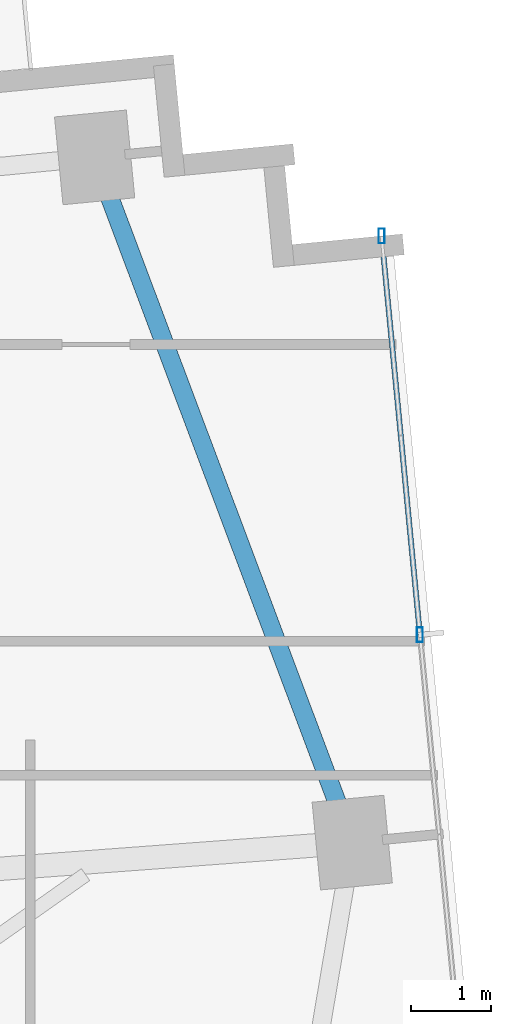
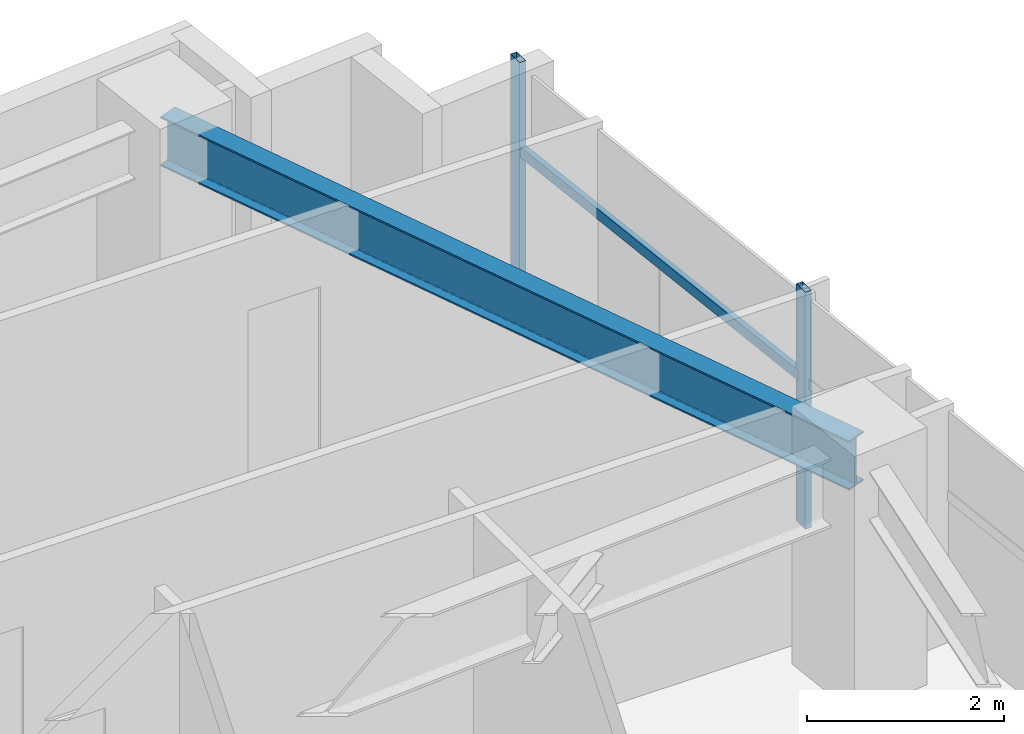
# One storey, part 19 of 27: 3 members, 1 beam, 1 element without a shape of its own.
"""IFC4 building model written with IfcOpenShell, lengths in metres."""

from ifc_helpers import new_model, si_unit, direction, frame, origin, origin_2d, place, context, subcontext, project, spatial, hollow_rectangle, i_section, extrude, source, transform, mapped, material, material_profile, profile_set, type_object, type_shapes, element, aggregate, save


model = new_model("IFC4")

# Units and contexts
model_context = context("Model", 3, precision=1e-05, world=origin(), true_north=direction((0.0, 1.0)))
body_context = subcontext(model_context, "Body", "Model", "MODEL_VIEW")
ifc_project = project(units=[si_unit("LENGTHUNIT", "METRE"), si_unit("AREAUNIT", "SQUARE_METRE"), si_unit("VOLUMEUNIT", "CUBIC_METRE"), si_unit("PLANEANGLEUNIT", "RADIAN"), si_unit("MASSUNIT", "GRAM", prefix="KILO")], contexts=[model_context])

# Site, building, storey
site_placement = place(None, origin())
site = spatial("IfcSite", under=ifc_project, at=site_placement, CompositionType="ELEMENT")
building_placement = place(site_placement, origin())
building = spatial("IfcBuilding", under=site, at=building_placement, Name="Astriad Promenade Condominiums", CompositionType="ELEMENT")
storey_placement = place(building_placement, frame((0.0, 0.0, 90.60009765625)))
storey = spatial("IfcBuildingStorey", under=building, at=storey_placement, Name="L25", CompositionType="ELEMENT", Elevation=90.60009765625)

# Beam
ifc_material_1 = material(Name="Steel ASTM A992 Grade 50", Category="steel")
ifc_material_profile_1 = material_profile(ifc_material_1, i_section(OverallWidth=0.22900390625, OverallDepth=0.612060546875, WebThickness=0.011962890625, FlangeThickness=0.01953125, FilletRadius=0.017822265625, at=origin_2d()), Name="W24X84")
ifc_profile_set_1 = profile_set([ifc_material_profile_1], Name="Steel ASTM A992 Grade 50")
beam_type = type_object("IfcBeamType", Name="STEEL SPANDREL BEAM W24X84", PredefinedType="SPANDREL", material=ifc_profile_set_1)
shared_shape_1 = source(origin(), body_context, "Body", "SweptSolid", [
    extrude(i_section(OverallWidth=0.22900390625, OverallDepth=0.612060546875, WebThickness=0.011962890625, FlangeThickness=0.01953125, FilletRadius=0.017822265625, at=origin_2d()), origin(), (0.0, 0.0, 1.0), 9.0556640625),
])
type_shapes(beam_type, [shared_shape_1])
beam_placement = place(storey_placement, frame((67.63427734375, 19.07666015625, 2.6337890625), z_axis=(-0.351856057459, 0.936054119605, 0.0), x_axis=(-0.936054119605, -0.351856057459, 0.0)))
element("IfcBeam", 1, at=beam_placement, inside=storey, type_object=beam_type, Name="Perimeter Spandrel Beam SP-E2-L25", PredefinedType="SPANDREL", context=body_context, shape_type="MappedRepresentation", body=[
    mapped(shared_shape_1, transform((0.0, 0.0, 0.0), scale=1.0)),
])

# Curtain wall, members
ifc_material_2 = material(Name="Anodised aluminium Black Dark Glass Unitised", Category="aluminium")
curtain_wall_type = type_object("IfcCurtainWallType", Name="CW-B2-DARK", PredefinedType="USERDEFINED", material=ifc_material_2)
curtain_wall_placement = place(storey_placement, origin())
curtain_wall = element("IfcCurtainWall", 2, at=curtain_wall_placement, inside=storey, type_object=curtain_wall_type, Name="CW-L25-E", ObjectType="UNITISED_CURTAIN_WALL", PredefinedType="USERDEFINED")
ifc_material_3 = material(Name="Anodised aluminium 6063-T6 Black", Category="aluminium")
ifc_material_profile_2 = material_profile(ifc_material_3, hollow_rectangle(XDim=0.074951171875, YDim=0.18505859375, WallThickness=0.00439453125, at=origin_2d()), Name="ALU-MUL-75X185")
ifc_profile_set_2 = profile_set([ifc_material_profile_2], Name="Anodised aluminium 6063-T6 Black")
member_type_1 = type_object("IfcMemberType", Name="MUL-ALU-MUL-75X185", PredefinedType="MULLION", material=ifc_profile_set_2)
shared_shape_2 = source(origin(), body_context, "Body", "SweptSolid", [
    extrude(hollow_rectangle(XDim=0.074951171875, YDim=0.18505859375, WallThickness=0.00439453125, at=origin_2d()), origin(), (0.0, 0.0, 1.0), 2.93994140625),
])
type_shapes(member_type_1, [shared_shape_2])
member_1_placement = place(storey_placement, frame((68.0146484375, 26.609130859375, 0.0), z_axis=(0.0, 0.0, 1.0), x_axis=(1.0, 0.0, 0.0)))
member_1 = element("IfcMember", 3, at=member_1_placement, type_object=member_type_1, Name="CW-L25-E-MUL-00", PredefinedType="MULLION", context=body_context, shape_type="MappedRepresentation", body=[
    mapped(shared_shape_2, transform((0.0, 0.0, 0.0), scale=1.0)),
])
member_2_placement = place(storey_placement, frame((68.493896484375, 21.632080078125, 0.0), z_axis=(0.0, 0.0, 1.0), x_axis=(1.0, 0.0, 0.0)))
member_2 = element("IfcMember", 4, at=member_2_placement, type_object=member_type_1, Name="CW-L25-E-MUL-01", PredefinedType="MULLION", context=body_context, shape_type="MappedRepresentation", body=[
    mapped(shared_shape_2, transform((0.0, 0.0, 0.0), scale=1.0)),
])
ifc_material_profile_3 = material_profile(ifc_material_3, hollow_rectangle(XDim=0.06494140625, YDim=0.1298828125, WallThickness=0.00390625, at=origin_2d()), Name="ALU-TRN-65X130")
ifc_profile_set_3 = profile_set([ifc_material_profile_3], Name="Anodised aluminium 6063-T6 Black")
member_type_2 = type_object("IfcMemberType", Name="TRN-ALU-TRN-65X130", PredefinedType="USERDEFINED", material=ifc_profile_set_3)
shared_shape_3 = source(origin(), body_context, "Body", "SweptSolid", [
    extrude(hollow_rectangle(XDim=0.06494140625, YDim=0.1298828125, WallThickness=0.00390625, at=origin_2d()), origin(), (0.0, 0.0, 1.0), 5.0),
])
type_shapes(member_type_2, [shared_shape_3])
member_3_placement = place(storey_placement, frame((68.0146484375, 26.609130859375, 1.82275390625), z_axis=(0.095848242264, -0.995395958629, 0.0), x_axis=(0.995395958629, 0.095848242264, 0.0)))
member_3 = element("IfcMember", 5, at=member_3_placement, type_object=member_type_2, Name="CW-L25-E-TRN-00-0", ObjectType="TRANSOM", PredefinedType="USERDEFINED", context=body_context, shape_type="MappedRepresentation", body=[
    mapped(shared_shape_3, transform((0.0, 0.0, 0.0), scale=1.0)),
])
aggregate(curtain_wall, [member_1, member_2, member_3])

save(model, "model.ifc")
